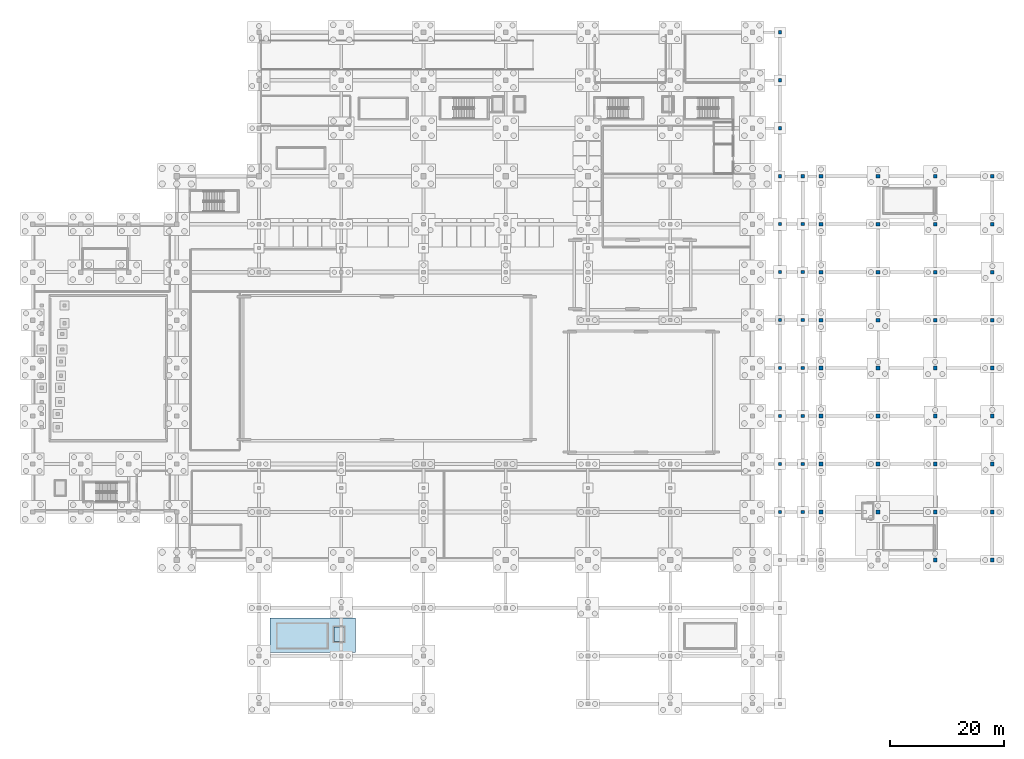
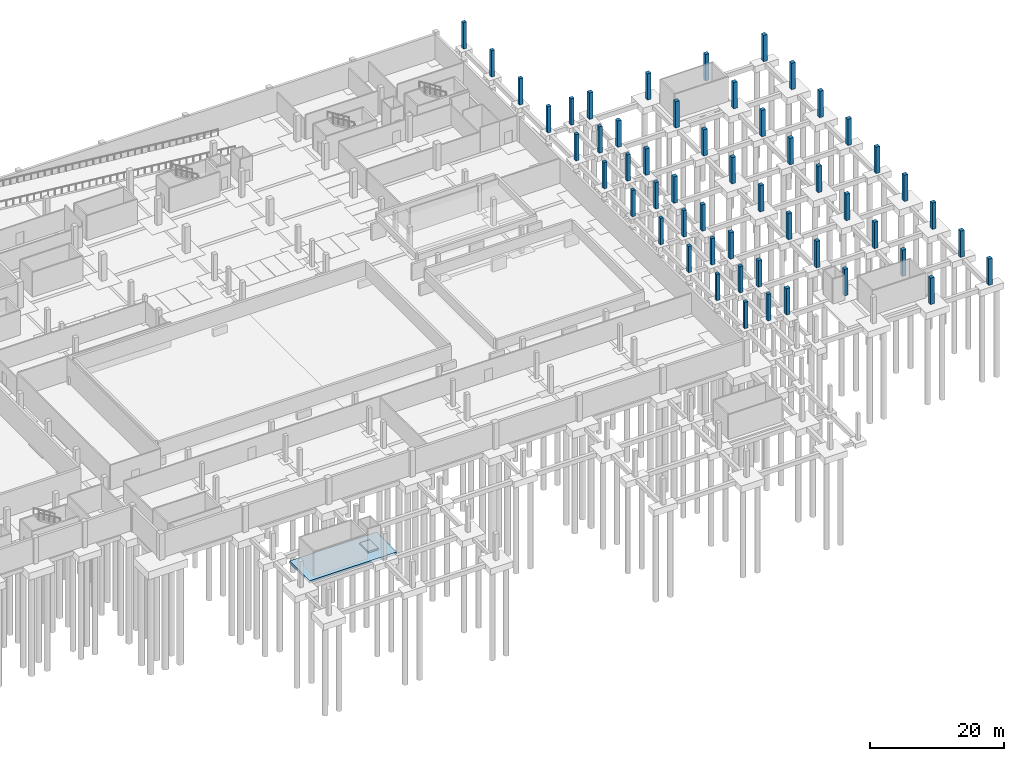
# One storey, part 11 of 26: 53 columns, 2 slabs.
"""IFC4 building model written with IfcOpenShell, lengths in metres."""

from ifc_helpers import new_model, si_unit, direction, frame, origin, origin_2d, place, context, subcontext, project, spatial, polyline, rectangle, outline, extrude, material, layer, layer_set, material_profile, profile_set, type_object, element, save


model = new_model("IFC4")

# Units and contexts
model_context = context("Model", 3, precision=1e-05, world=origin(), true_north=direction((0.0, 1.0)))
body_context = subcontext(model_context, "Body", "Model", "MODEL_VIEW")
ifc_project = project(units=[si_unit("LENGTHUNIT", "METRE"), si_unit("AREAUNIT", "SQUARE_METRE"), si_unit("VOLUMEUNIT", "CUBIC_METRE"), si_unit("PLANEANGLEUNIT", "RADIAN"), si_unit("MASSUNIT", "GRAM", prefix="KILO"), si_unit("THERMODYNAMICTEMPERATUREUNIT", "KELVIN")], contexts=[model_context])

# Site, building, storey
site_placement = place(None, origin())
site = spatial("IfcSite", under=ifc_project, at=site_placement, CompositionType="ELEMENT")
building_placement = place(site_placement, origin())
building = spatial("IfcBuilding", under=site, at=building_placement, Name="Nduvali Passage Aquatics Centre", CompositionType="ELEMENT")
storey_placement = place(building_placement, frame((0.0, 0.0, -4.800048828125)))
storey = spatial("IfcBuildingStorey", under=building, at=storey_placement, Name="B01", CompositionType="ELEMENT", Elevation=-4.800048828125)

# Columns
ifc_material_1 = material(Name="Concrete C40/50", Category="concrete")
ifc_material_profile_1 = material_profile(ifc_material_1, rectangle(XDim=0.550048828125, YDim=0.550048828125, at=origin_2d()), Name="RC 550x550")
ifc_profile_set_1 = profile_set([ifc_material_profile_1], Name="Concrete C40/50")
column_type_1 = type_object("IfcColumnType", Name="STR-COL-RC550", PredefinedType="COLUMN", material=ifc_profile_set_1)
for number, where, z_axis, x_axis, name in (
    (1, (130.800048828125, 33.60009765625, 0.0), (0.0, 0.0, 1.0), (1.0, 0.0, 0.0), "B01 Column C4 (130.8, 33.6)"),
    (2, (130.800048828125, 42.0, 0.0), (0.0, 0.0, 1.0), (1.0, 0.0, 0.0), "B01 Column C4 (130.8, 42.0)"),
    (3, (130.800048828125, 50.39990234375, 0.0), (0.0, 0.0, 1.0), (1.0, 0.0, 0.0), "B01 Column C4 (130.8, 50.4)"),
    (4, (130.800048828125, 58.800048828125, 0.0), (0.0, 0.0, 1.0), (1.0, 0.0, 0.0), "B01 Column C4 (130.8, 58.8)"),
    (5, (130.800048828125, 67.199951171875, 0.0), (0.0, 0.0, 1.0), (1.0, 0.0, 0.0), "B01 Column C4 (130.8, 67.2)"),
    (6, (130.800048828125, 75.60009765625, 0.0), (0.0, 0.0, 1.0), (1.0, 0.0, 0.0), "B01 Column C4 (130.8, 75.6)"),
    (7, (130.800048828125, 84.0, 0.0), (0.0, 0.0, 1.0), (1.0, 0.0, 0.0), "B01 Column C4 (130.8, 84.0)"),
    (8, (130.800048828125, 92.39990234375, 0.0), (0.0, 0.0, 1.0), (1.0, 0.0, 0.0), "B01 Column C4 (130.8, 92.4)"),
    (9, (130.800048828125, 100.800048828125, 0.0), (0.0, 0.0, 1.0), (1.0, 0.0, 0.0), "B01 Column C4 (130.8, 100.8)"),
    (10, (130.800048828125, 109.199951171875, 0.0), (0.0, 0.0, 1.0), (1.0, 0.0, 0.0), "B01 Column C4 (130.8, 109.2)"),
    (11, (130.800048828125, 117.60009765625, 0.0), (0.0, 0.0, 1.0), (1.0, 0.0, 0.0), "B01 Column C4 (130.8, 117.6)"),
    (12, (134.800048828125, 33.60009765625, 0.0), (0.0, 0.0, 1.0), (1.0, 0.0, 0.0), "B01 Column C4 (134.8, 33.6)"),
    (13, (134.800048828125, 42.0, 0.0), (0.0, 0.0, 1.0), (1.0, 0.0, 0.0), "B01 Column C4 (134.8, 42.0)"),
    (14, (134.800048828125, 50.39990234375, 0.0), (0.0, 0.0, 1.0), (1.0, 0.0, 0.0), "B01 Column C4 (134.8, 50.4)"),
    (15, (134.800048828125, 58.800048828125, 0.0), (0.0, 0.0, 1.0), (1.0, 0.0, 0.0), "B01 Column C4 (134.8, 58.8)"),
    (16, (134.800048828125, 67.199951171875, 0.0), (0.0, 0.0, 1.0), (1.0, 0.0, 0.0), "B01 Column C4 (134.8, 67.2)"),
    (17, (134.800048828125, 75.60009765625, 0.0), (0.0, 0.0, 1.0), (1.0, 0.0, 0.0), "B01 Column C4 (134.8, 75.6)"),
    (18, (134.800048828125, 84.0, 0.0), (0.0, 0.0, 1.0), (1.0, 0.0, 0.0), "B01 Column C4 (134.8, 84.0)"),
    (19, (134.800048828125, 92.39990234375, 0.0), (0.0, 0.0, 1.0), (1.0, 0.0, 0.0), "B01 Column C4 (134.8, 92.4)"),
):
    element("IfcColumn", number, at=place(storey_placement, frame(where, z_axis=z_axis, x_axis=x_axis)), inside=storey, type_object=column_type_1, Name=name, PredefinedType="COLUMN", context=body_context, shape_type="SweptSolid", body=[
        extrude(rectangle(XDim=0.550048828125, YDim=0.550048828125, at=origin_2d()), origin(), (0.0, 0.0, 1.0), 4.800048828125),
    ])
ifc_material_profile_2 = material_profile(ifc_material_1, rectangle(XDim=0.64990234375, YDim=0.64990234375, at=origin_2d()), Name="RC 650x650")
ifc_profile_set_2 = profile_set([ifc_material_profile_2], Name="Concrete C40/50")
column_type_2 = type_object("IfcColumnType", Name="STR-COL-RC650", PredefinedType="COLUMN", material=ifc_profile_set_2)
for number, where, z_axis, x_axis, name in (
    (20, (138.0, 33.60009765625, 0.0), (0.0, 0.0, 1.0), (1.0, 0.0, 0.0), "B01 Column C3 (138.0, 33.6)"),
    (21, (138.0, 42.0, 0.0), (0.0, 0.0, 1.0), (1.0, 0.0, 0.0), "B01 Column C3 (138.0, 42.0)"),
    (22, (138.0, 50.39990234375, 0.0), (0.0, 0.0, 1.0), (1.0, 0.0, 0.0), "B01 Column C3 (138.0, 50.4)"),
    (23, (138.0, 58.800048828125, 0.0), (0.0, 0.0, 1.0), (1.0, 0.0, 0.0), "B01 Column C3 (138.0, 58.8)"),
    (24, (138.0, 67.199951171875, 0.0), (0.0, 0.0, 1.0), (1.0, 0.0, 0.0), "B01 Column C3 (138.0, 67.2)"),
    (25, (138.0, 75.60009765625, 0.0), (0.0, 0.0, 1.0), (1.0, 0.0, 0.0), "B01 Column C3 (138.0, 75.6)"),
    (26, (138.0, 84.0, 0.0), (0.0, 0.0, 1.0), (1.0, 0.0, 0.0), "B01 Column C3 (138.0, 84.0)"),
    (27, (138.0, 92.39990234375, 0.0), (0.0, 0.0, 1.0), (1.0, 0.0, 0.0), "B01 Column C3 (138.0, 92.4)"),
    (28, (148.0, 33.60009765625, 0.0), (0.0, 0.0, 1.0), (1.0, 0.0, 0.0), "B01 Column C3 (148.0, 33.6)"),
    (29, (148.0, 42.0, 0.0), (0.0, 0.0, 1.0), (1.0, 0.0, 0.0), "B01 Column C3 (148.0, 42.0)"),
    (30, (148.0, 50.39990234375, 0.0), (0.0, 0.0, 1.0), (1.0, 0.0, 0.0), "B01 Column C3 (148.0, 50.4)"),
    (31, (148.0, 58.800048828125, 0.0), (0.0, 0.0, 1.0), (1.0, 0.0, 0.0), "B01 Column C3 (148.0, 58.8)"),
    (32, (148.0, 67.199951171875, 0.0), (0.0, 0.0, 1.0), (1.0, 0.0, 0.0), "B01 Column C3 (148.0, 67.2)"),
    (33, (148.0, 75.60009765625, 0.0), (0.0, 0.0, 1.0), (1.0, 0.0, 0.0), "B01 Column C3 (148.0, 75.6)"),
    (34, (148.0, 84.0, 0.0), (0.0, 0.0, 1.0), (1.0, 0.0, 0.0), "B01 Column C3 (148.0, 84.0)"),
    (35, (148.0, 92.39990234375, 0.0), (0.0, 0.0, 1.0), (1.0, 0.0, 0.0), "B01 Column C3 (148.0, 92.4)"),
    (36, (158.0, 25.199951171875, 0.0), (0.0, 0.0, 1.0), (1.0, 0.0, 0.0), "B01 Column C3 (158.0, 25.2)"),
    (37, (158.0, 33.60009765625, 0.0), (0.0, 0.0, 1.0), (1.0, 0.0, 0.0), "B01 Column C3 (158.0, 33.6)"),
    (38, (158.0, 42.0, 0.0), (0.0, 0.0, 1.0), (1.0, 0.0, 0.0), "B01 Column C3 (158.0, 42.0)"),
    (39, (158.0, 50.39990234375, 0.0), (0.0, 0.0, 1.0), (1.0, 0.0, 0.0), "B01 Column C3 (158.0, 50.4)"),
    (40, (158.0, 58.800048828125, 0.0), (0.0, 0.0, 1.0), (1.0, 0.0, 0.0), "B01 Column C3 (158.0, 58.8)"),
    (41, (158.0, 67.199951171875, 0.0), (0.0, 0.0, 1.0), (1.0, 0.0, 0.0), "B01 Column C3 (158.0, 67.2)"),
    (42, (158.0, 75.60009765625, 0.0), (0.0, 0.0, 1.0), (1.0, 0.0, 0.0), "B01 Column C3 (158.0, 75.6)"),
    (43, (158.0, 84.0, 0.0), (0.0, 0.0, 1.0), (1.0, 0.0, 0.0), "B01 Column C3 (158.0, 84.0)"),
    (44, (158.0, 92.39990234375, 0.0), (0.0, 0.0, 1.0), (1.0, 0.0, 0.0), "B01 Column C3 (158.0, 92.4)"),
    (45, (168.0, 25.199951171875, 0.0), (0.0, 0.0, 1.0), (1.0, 0.0, 0.0), "B01 Column C3 (168.0, 25.2)"),
    (46, (168.0, 33.60009765625, 0.0), (0.0, 0.0, 1.0), (1.0, 0.0, 0.0), "B01 Column C3 (168.0, 33.6)"),
    (47, (168.0, 42.0, 0.0), (0.0, 0.0, 1.0), (1.0, 0.0, 0.0), "B01 Column C3 (168.0, 42.0)"),
    (48, (168.0, 50.39990234375, 0.0), (0.0, 0.0, 1.0), (1.0, 0.0, 0.0), "B01 Column C3 (168.0, 50.4)"),
    (49, (168.0, 58.800048828125, 0.0), (0.0, 0.0, 1.0), (1.0, 0.0, 0.0), "B01 Column C3 (168.0, 58.8)"),
    (50, (168.0, 67.199951171875, 0.0), (0.0, 0.0, 1.0), (1.0, 0.0, 0.0), "B01 Column C3 (168.0, 67.2)"),
    (51, (168.0, 75.60009765625, 0.0), (0.0, 0.0, 1.0), (1.0, 0.0, 0.0), "B01 Column C3 (168.0, 75.6)"),
    (52, (168.0, 84.0, 0.0), (0.0, 0.0, 1.0), (1.0, 0.0, 0.0), "B01 Column C3 (168.0, 84.0)"),
    (53, (168.0, 92.39990234375, 0.0), (0.0, 0.0, 1.0), (1.0, 0.0, 0.0), "B01 Column C3 (168.0, 92.4)"),
):
    element("IfcColumn", number, at=place(storey_placement, frame(where, z_axis=z_axis, x_axis=x_axis)), inside=storey, type_object=column_type_2, Name=name, PredefinedType="COLUMN", context=body_context, shape_type="SweptSolid", body=[
        extrude(rectangle(XDim=0.64990234375, YDim=0.64990234375, at=origin_2d()), origin(), (0.0, 0.0, 1.0), 4.800048828125),
    ])

# Slabs
ifc_layer_1 = layer(ifc_material_1, 0.27001953125, Name="Concrete C40/50")
ifc_layer_set_1 = layer_set([ifc_layer_1], Name="Concrete C40/50")
slab_type_1 = type_object("IfcSlabType", Name="INT-SLB-SHAFT200", PredefinedType="BASESLAB", material=ifc_layer_set_1)
slab_1_placement = place(storey_placement, origin())
element("IfcSlab", 54, at=slab_1_placement, inside=storey, type_object=slab_type_1, Name="Lift L4 Shaft Pit Slab", PredefinedType="BASESLAB", context=body_context, shape_type="SweptSolid", body=[
    extrude(outline(polyline([(52.719970703125, 10.919921875), (54.47998046875, 10.919921875), (54.47998046875, 13.47998046875), (52.719970703125, 13.47998046875), (52.719970703125, 10.919921875)])), origin(), (0.0, 0.0, 1.0), 0.27001953125),
])
ifc_material_2 = material(Name="Waterproof concrete C40/50", Category="concrete")
ifc_layer_2 = layer(ifc_material_2, 0.449951171875, Name="Waterproof concrete C40/50")
ifc_layer_set_2 = layer_set([ifc_layer_2], Name="Waterproof concrete C40/50")
slab_type_2 = type_object("IfcSlabType", Name="STR-SLB-BASE450", PredefinedType="BASESLAB", material=ifc_layer_set_2)
slab_2_placement = place(storey_placement, frame((0.0, 0.0, -0.449951171875)))
element("IfcSlab", 55, at=slab_2_placement, inside=storey, type_object=slab_type_2, Name="B01 Core Substructure Base Slab V4-W", PredefinedType="BASESLAB", context=body_context, shape_type="SweptSolid", body=[
    extrude(outline(polyline([(41.5, 9.0), (56.5, 9.0), (56.5, 15.0), (41.5, 15.0), (41.5, 9.0)])), origin(), (0.0, 0.0, 1.0), 0.449951171875),
])

save(model, "model.ifc")
